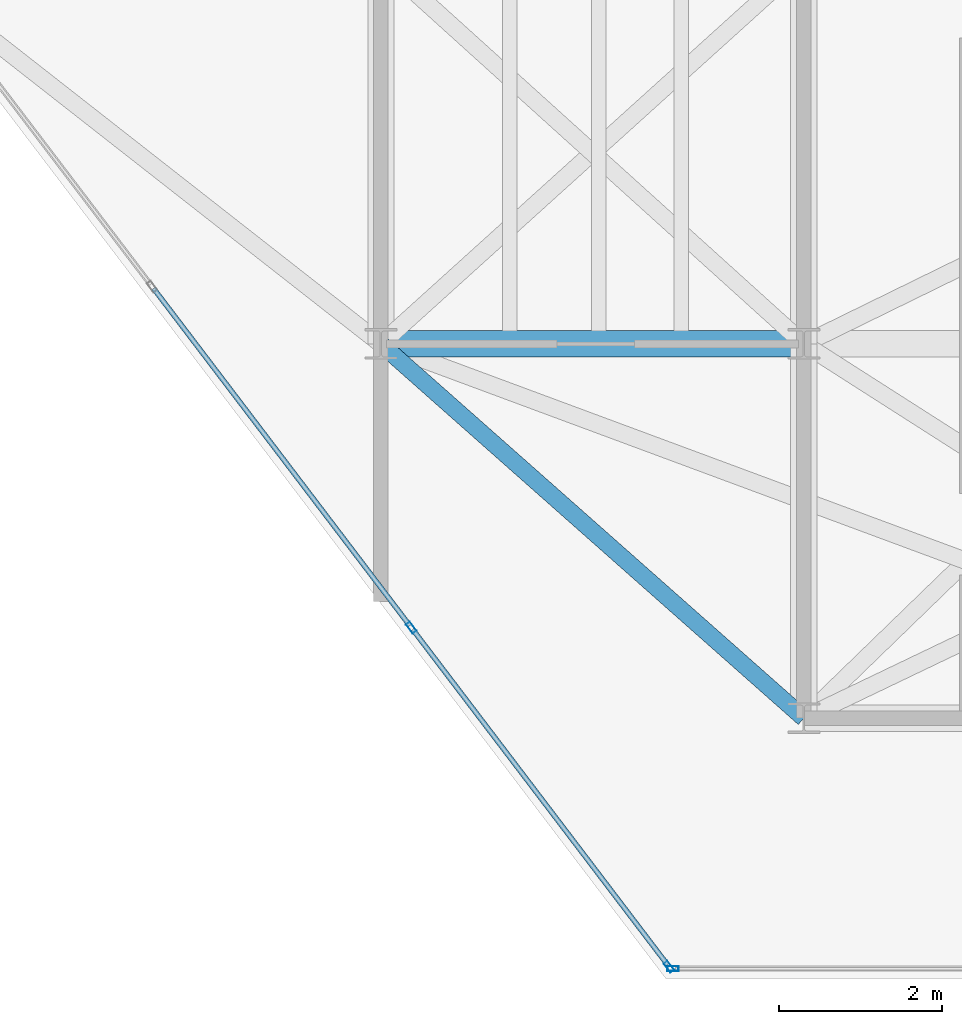
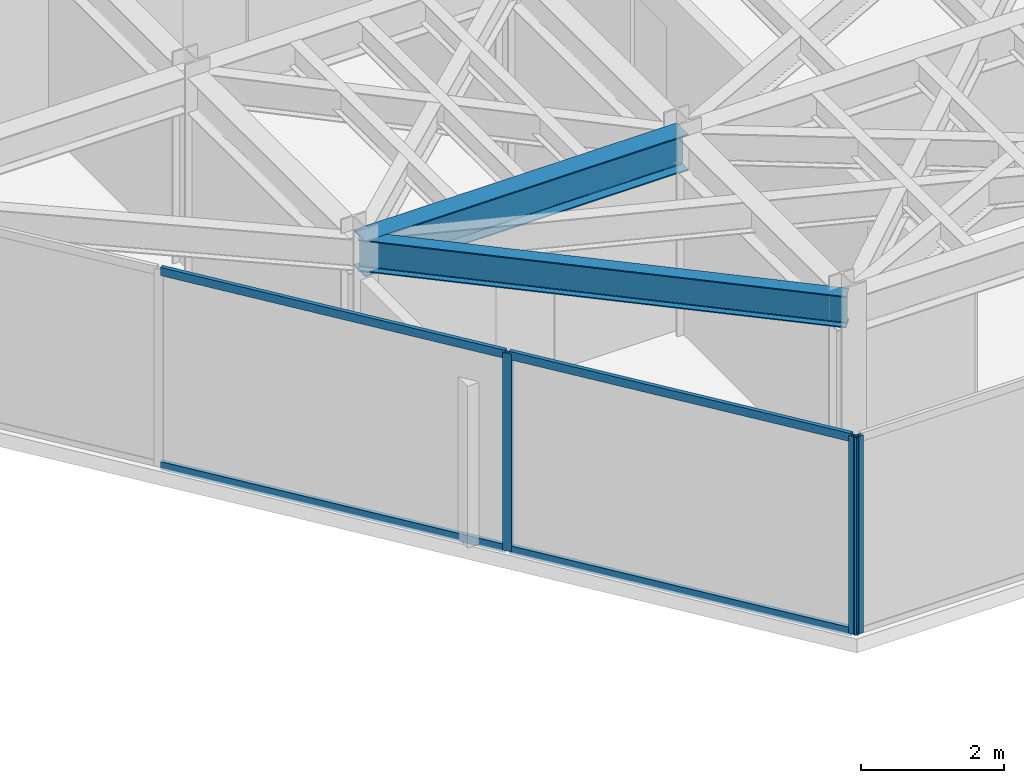
# One storey, part 5 of 17: 7 members, 2 beams, 2 elements without a shape of their own.
"""IFC4 building model written with IfcOpenShell, lengths in metres."""

from ifc_helpers import new_model, si_unit, direction, frame, origin, origin_2d, place, context, subcontext, project, spatial, hollow_rectangle, i_section, extrude, material, layer, layer_set, material_profile, profile_set, type_object, element, aggregate, save


model = new_model("IFC4")

# Units and contexts
model_context = context("Model", 3, precision=1e-05, world=origin(), true_north=direction((0.0, 1.0)))
body_context = subcontext(model_context, "Body", "Model", "MODEL_VIEW")
ifc_project = project(units=[si_unit("LENGTHUNIT", "METRE"), si_unit("AREAUNIT", "SQUARE_METRE"), si_unit("VOLUMEUNIT", "CUBIC_METRE"), si_unit("PLANEANGLEUNIT", "RADIAN"), si_unit("MASSUNIT", "GRAM", prefix="KILO")], contexts=[model_context])

# Site, building, storey
site_placement = place(None, origin())
site = spatial("IfcSite", under=ifc_project, at=site_placement, CompositionType="ELEMENT")
building_placement = place(site_placement, origin())
building = spatial("IfcBuilding", under=site, at=building_placement, Name="Kravanh Interchange Tower", CompositionType="ELEMENT")
storey_placement = place(building_placement, frame((0.0, 0.0, 289.5)))
storey = spatial("IfcBuildingStorey", under=building, at=storey_placement, Name="L71", CompositionType="ELEMENT", Elevation=289.5)

# Curtain wall, member
ifc_material_1 = material(Name="Anodised Bronze Aluminium", Category="aluminium")
ifc_layer = layer(ifc_material_1, 0.179931640625)
ifc_layer_set = layer_set([ifc_layer], Name="Unitised Curtain Wall System CW-HTL Luxury Hotel")
curtain_wall_type = type_object("IfcCurtainWallType", Name="Unitised Curtain Wall System CW-HTL Luxury Hotel", PredefinedType="NOTDEFINED", material=ifc_layer_set)
curtain_wall_1_placement = place(storey_placement, origin())
curtain_wall_1 = element("IfcCurtainWall", 1, at=curtain_wall_1_placement, inside=storey, type_object=curtain_wall_type, Name="L71 Unitised Curtain Wall CW-L71-03", PredefinedType="NOTDEFINED")
ifc_material_2 = material(Name="Anodised Bronze Aluminium", Category="aluminium")
ifc_material_profile_1 = material_profile(ifc_material_2, hollow_rectangle(XDim=0.06005859375, YDim=0.139892578125, WallThickness=0.00390625, at=origin_2d()), Name="ALU60X140X4")
ifc_profile_set_1 = profile_set([ifc_material_profile_1], Name="Anodised Bronze Aluminium")
member_type_1 = type_object("IfcMemberType", Name="Curtain Wall Mullion ALU60X140X4 Bronze", PredefinedType="MULLION", material=ifc_profile_set_1)
member_1_placement = place(storey_placement, frame((54.389404296875, 19.1201171875, 0.0), z_axis=(0.0, 0.0, 1.0), x_axis=(0.0, -1.0, 0.0)))
member_1 = element("IfcMember", 2, at=member_1_placement, type_object=member_type_1, Name="CW-HTL mullion 3", PredefinedType="MULLION", context=body_context, shape_type="SweptSolid", body=[
    extrude(hollow_rectangle(XDim=0.06005859375, YDim=0.139892578125, WallThickness=0.00390625, at=origin_2d()), origin(), (0.0, 0.0, 1.0), 3.364990234375),
])
aggregate(curtain_wall_1, [member_1])

# Curtain wall, members
curtain_wall_2_placement = place(storey_placement, origin())
curtain_wall_2 = element("IfcCurtainWall", 3, at=curtain_wall_2_placement, inside=storey, type_object=curtain_wall_type, Name="L71 Unitised Curtain Wall CW-L71-04", PredefinedType="NOTDEFINED")
member_2_placement = place(storey_placement, frame((54.34130859375, 19.143798828125, 0.0), z_axis=(0.0, 0.0, 1.0), x_axis=(-0.79616243806, -0.605082946564, 0.0)))
member_2 = element("IfcMember", 4, at=member_2_placement, type_object=member_type_1, Name="CW-HTL mullion 1", PredefinedType="MULLION", context=body_context, shape_type="SweptSolid", body=[
    extrude(hollow_rectangle(XDim=0.06005859375, YDim=0.139892578125, WallThickness=0.00390625, at=origin_2d()), origin(), (0.0, 0.0, 1.0), 3.364990234375),
])
member_3_placement = place(storey_placement, frame((51.173095703125, 23.312744140625, 0.0), z_axis=(0.0, 0.0, 1.0), x_axis=(-0.79616243806, -0.605082946564, 0.0)))
member_3 = element("IfcMember", 5, at=member_3_placement, type_object=member_type_1, Name="CW-HTL mullion 2", PredefinedType="MULLION", context=body_context, shape_type="SweptSolid", body=[
    extrude(hollow_rectangle(XDim=0.06005859375, YDim=0.139892578125, WallThickness=0.00390625, at=origin_2d()), origin(), (0.0, 0.0, 1.0), 3.364990234375),
])
ifc_material_3 = material(Name="Anodised Bronze Aluminium", Category="aluminium")
ifc_material_profile_2 = material_profile(ifc_material_3, hollow_rectangle(XDim=0.06005859375, YDim=0.139892578125, WallThickness=0.00390625, at=origin_2d()), Name="ALU60X140X4")
ifc_profile_set_2 = profile_set([ifc_material_profile_2], Name="Anodised Bronze Aluminium")
member_type_2 = type_object("IfcMemberType", Name="Curtain Wall Transom ALU60X140X4 Bronze", PredefinedType="USERDEFINED", material=ifc_profile_set_2)
member_4_placement = place(storey_placement, frame((54.3232421875, 19.167724609375, 0.030029296875), z_axis=(-0.605089246946, 0.796157649734, 0.0), x_axis=(-0.796157649734, -0.605089246946, 0.0)))
member_4 = element("IfcMember", 6, at=member_4_placement, type_object=member_type_2, Name="CW-HTL transom 1.1", ObjectType="TRANSOM", PredefinedType="USERDEFINED", context=body_context, shape_type="SweptSolid", body=[
    extrude(hollow_rectangle(XDim=0.06005859375, YDim=0.139892578125, WallThickness=0.00390625, at=origin_2d()), origin(), (0.0, 0.0, 1.0), 5.17626953125),
])
member_5_placement = place(storey_placement, frame((54.3232421875, 19.167724609375, 3.3349609375), z_axis=(-0.605089246946, 0.796157649734, 0.0), x_axis=(-0.796157649734, -0.605089246946, 0.0)))
member_5 = element("IfcMember", 7, at=member_5_placement, type_object=member_type_2, Name="CW-HTL transom 1.2", ObjectType="TRANSOM", PredefinedType="USERDEFINED", context=body_context, shape_type="SweptSolid", body=[
    extrude(hollow_rectangle(XDim=0.06005859375, YDim=0.139892578125, WallThickness=0.00390625, at=origin_2d()), origin(), (0.0, 0.0, 1.0), 5.17626953125),
])
member_6_placement = place(storey_placement, frame((51.15478515625, 23.336669921875, 0.030029296875), z_axis=(-0.605074944506, 0.796168519555, 0.0), x_axis=(-0.796168519555, -0.605074944506, 0.0)))
member_6 = element("IfcMember", 8, at=member_6_placement, type_object=member_type_2, Name="CW-HTL transom 2.1", ObjectType="TRANSOM", PredefinedType="USERDEFINED", context=body_context, shape_type="SweptSolid", body=[
    extrude(hollow_rectangle(XDim=0.06005859375, YDim=0.139892578125, WallThickness=0.00390625, at=origin_2d()), origin(), (0.0, 0.0, 1.0), 5.206298828125),
])
member_7_placement = place(storey_placement, frame((51.15478515625, 23.336669921875, 3.3349609375), z_axis=(-0.605074944506, 0.796168519555, 0.0), x_axis=(-0.796168519555, -0.605074944506, 0.0)))
member_7 = element("IfcMember", 9, at=member_7_placement, type_object=member_type_2, Name="CW-HTL transom 2.2", ObjectType="TRANSOM", PredefinedType="USERDEFINED", context=body_context, shape_type="SweptSolid", body=[
    extrude(hollow_rectangle(XDim=0.06005859375, YDim=0.139892578125, WallThickness=0.00390625, at=origin_2d()), origin(), (0.0, 0.0, 1.0), 5.206298828125),
])
aggregate(curtain_wall_2, [member_2, member_3, member_4, member_5, member_6, member_7])

# Beams
ifc_material_4 = material(Name="Structural Steel S355", Category="steel")
ifc_material_profile_3 = material_profile(ifc_material_4, i_section(OverallWidth=0.323974609375, OverallDepth=0.611083984375, WebThickness=0.0126953125, FlangeThickness=0.01904296875, FilletRadius=0.02197265625, at=origin_2d()), Name="W24X104")
ifc_profile_set_3 = profile_set([ifc_material_profile_3], Name="Structural Steel S355")
beam_type_1 = type_object("IfcBeamType", Name="Floor Beam W24X104 Structural Steel S355", PredefinedType="BEAM", material=ifc_profile_set_3)
beam_1_placement = place(storey_placement, frame((50.800048828125, 26.800048828125, 3.0595703125), z_axis=(1.0, 0.0, 0.0), x_axis=(0.0, 1.0, 0.0)))
element("IfcBeam", 10, at=beam_1_placement, inside=storey, type_object=beam_type_1, Name="L71 Primary Floor Girder 25", PredefinedType="BEAM", context=body_context, shape_type="SweptSolid", body=[
    extrude(i_section(OverallWidth=0.323974609375, OverallDepth=0.611083984375, WebThickness=0.0126953125, FlangeThickness=0.01904296875, FilletRadius=0.02197265625, at=origin_2d()), origin(), (0.0, 0.0, 1.0), 5.199951171875),
])
ifc_material_5 = material(Name="Structural Steel S355", Category="steel")
ifc_material_profile_4 = material_profile(ifc_material_5, i_section(OverallWidth=0.2099609375, OverallDepth=0.537109375, WebThickness=0.010986328125, FlangeThickness=0.017333984375, FilletRadius=0.02001953125, at=origin_2d()), Name="W21X68")
ifc_profile_set_4 = profile_set([ifc_material_profile_4], Name="Structural Steel S355")
beam_type_2 = type_object("IfcBeamType", Name="Floor Spandrel W21X68 Structural Steel S355", PredefinedType="SPANDREL", material=ifc_profile_set_4)
beam_2_placement = place(storey_placement, frame((50.800048828125, 26.800048828125, 3.096435546875), z_axis=(0.74898649432, -0.662585263439, 0.0), x_axis=(0.662585263439, 0.74898649432, 0.0)))
element("IfcBeam", 11, at=beam_2_placement, inside=storey, type_object=beam_type_2, Name="L71 Perimeter Spandrel 26", PredefinedType="SPANDREL", context=body_context, shape_type="SweptSolid", body=[
    extrude(i_section(OverallWidth=0.2099609375, OverallDepth=0.537109375, WebThickness=0.010986328125, FlangeThickness=0.017333984375, FilletRadius=0.02001953125, at=origin_2d()), origin(), (0.0, 0.0, 1.0), 6.942626953125),
])

save(model, "model.ifc")
